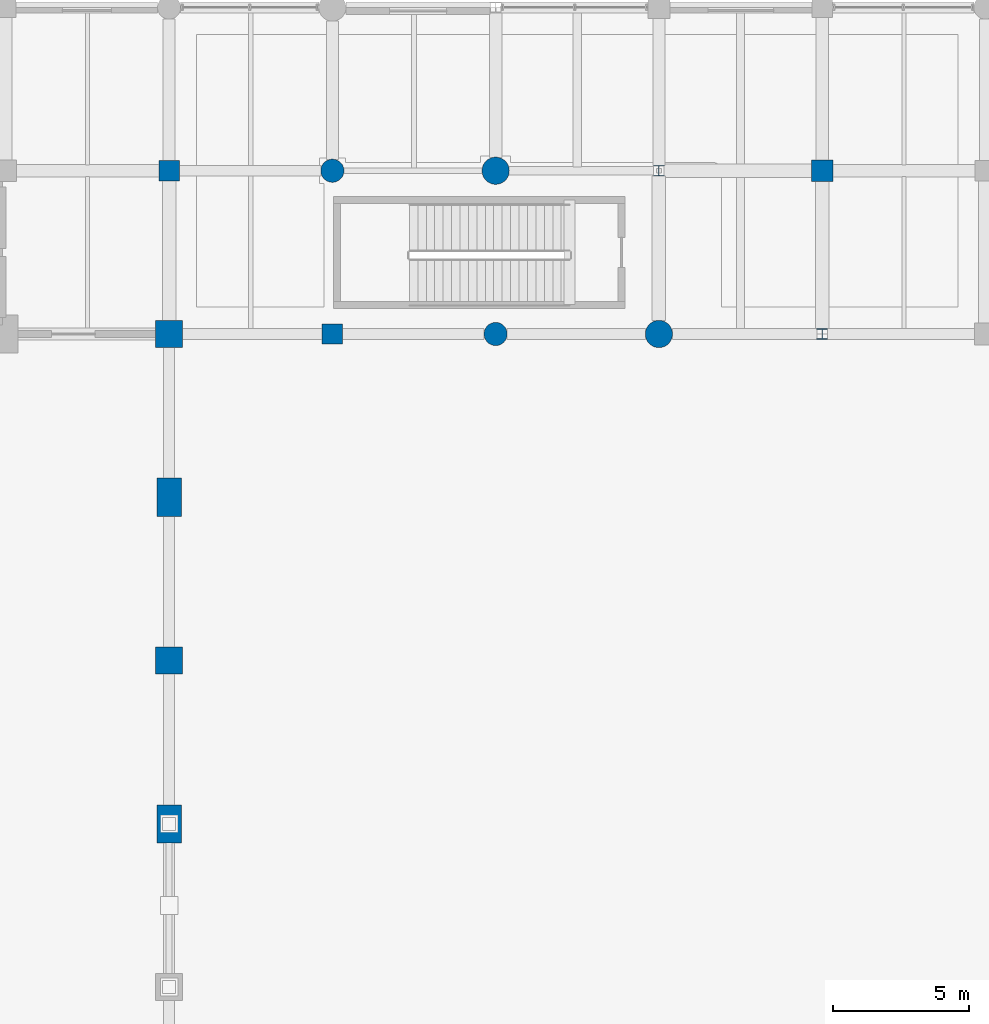
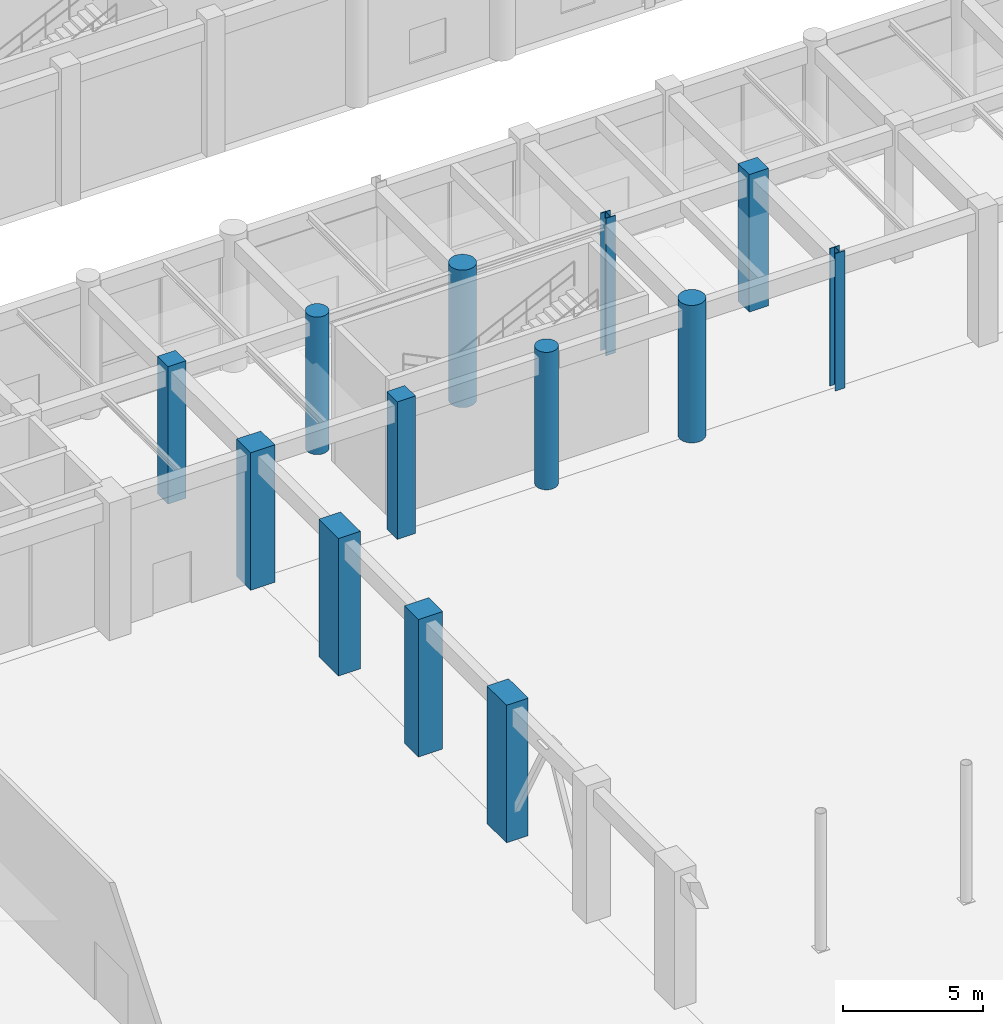
# One storey, part 12 of 106: 13 columns.
"""IFC4 building model written with IfcOpenShell, lengths in metres."""

from ifc_helpers import new_model, si_unit, direction, frame, origin, origin_2d, place, context, subcontext, project, spatial, rectangle, circle, i_section, extrude, material, material_profile, profile_set, type_object, element, save


model = new_model("IFC4")

# Units and contexts
model_context = context("Model", 3, precision=1e-05, world=origin(), true_north=direction((0.0, 1.0)))
body_context = subcontext(model_context, "Body", "Model", "MODEL_VIEW")
ifc_project = project(units=[si_unit("LENGTHUNIT", "METRE"), si_unit("AREAUNIT", "SQUARE_METRE"), si_unit("VOLUMEUNIT", "CUBIC_METRE"), si_unit("PLANEANGLEUNIT", "RADIAN"), si_unit("MASSUNIT", "GRAM", prefix="KILO"), si_unit("THERMODYNAMICTEMPERATUREUNIT", "KELVIN"), si_unit("POWERUNIT", "WATT")], contexts=[model_context])

# Site, building, storey
site_placement = place(None, origin())
site = spatial("IfcSite", under=ifc_project, at=site_placement, CompositionType="ELEMENT")
building_placement = place(site_placement, origin())
building = spatial("IfcBuilding", under=site, at=building_placement, Name="Phaisarnlok Congress Hotel", CompositionType="ELEMENT")
storey_placement = place(building_placement, origin())
storey = spatial("IfcBuildingStorey", under=building, at=storey_placement, Name="L00", CompositionType="ELEMENT", Elevation=0.0)

# Columns
ifc_material_1 = material(Name="Concrete C50/60", Category="concrete")
ifc_material_profile_1 = material_profile(ifc_material_1, rectangle(XDim=1.0, YDim=1.0, at=origin_2d()), Name="RC 1000x1000")
ifc_profile_set_1 = profile_set([ifc_material_profile_1], Name="Concrete C50/60")
column_type_1 = type_object("IfcColumnType", Name="COL-RC-1000", PredefinedType="COLUMN", material=ifc_profile_set_1)
for number, where, z_axis, x_axis, name in (
    (1, (66.0, 72.0, 0.0), (0.0, 0.0, 1.0), (1.0, 0.0, 0.0), "Column C-09 (L00)"),
    (2, (66.0, 84.0, 0.0), (0.0, 0.0, 1.0), (1.0, 0.0, 0.0), "Column C-09 (L00)"),
):
    element("IfcColumn", number, at=place(storey_placement, frame(where, z_axis=z_axis, x_axis=x_axis)), inside=storey, type_object=column_type_1, Name=name, PredefinedType="COLUMN", context=body_context, shape_type="SweptSolid", body=[
        extrude(rectangle(XDim=1.0, YDim=1.0, at=origin_2d()), origin(), (0.0, 0.0, 1.0), 6.0),
    ])
ifc_material_profile_2 = material_profile(ifc_material_1, rectangle(XDim=0.75, YDim=0.75, at=origin_2d()), Name="RC 750x750")
ifc_profile_set_2 = profile_set([ifc_material_profile_2], Name="Concrete C50/60")
column_type_2 = type_object("IfcColumnType", Name="COL-RC-750", PredefinedType="COLUMN", material=ifc_profile_set_2)
for number, where, z_axis, x_axis, name in (
    (3, (66.0, 90.0, 0.0), (0.0, 0.0, 1.0), (1.0, 0.0, 0.0), "Column C-06 (L00)"),
    (4, (72.0, 84.0, 0.0), (0.0, 0.0, 1.0), (1.0, 0.0, 0.0), "Column C-06 (L00)"),
):
    element("IfcColumn", number, at=place(storey_placement, frame(where, z_axis=z_axis, x_axis=x_axis)), inside=storey, type_object=column_type_2, Name=name, PredefinedType="COLUMN", context=body_context, shape_type="SweptSolid", body=[
        extrude(rectangle(XDim=0.75, YDim=0.75, at=origin_2d()), origin(), (0.0, 0.0, 1.0), 6.0),
    ])
ifc_material_profile_3 = material_profile(ifc_material_1, rectangle(XDim=0.800048828125, YDim=0.800048828125, at=origin_2d()), Name="RC 800x800")
ifc_profile_set_3 = profile_set([ifc_material_profile_3], Name="Concrete C50/60")
column_type_3 = type_object("IfcColumnType", Name="COL-RC-800", PredefinedType="COLUMN", material=ifc_profile_set_3)
column_placement = place(storey_placement, frame((90.0, 90.0, 0.0), z_axis=(0.0, 0.0, 1.0), x_axis=(1.0, 0.0, 0.0)))
element("IfcColumn", 5, at=column_placement, inside=storey, type_object=column_type_3, Name="Column C-07 (L00)", PredefinedType="COLUMN", context=body_context, shape_type="SweptSolid", body=[
    extrude(rectangle(XDim=0.800048828125, YDim=0.800048828125, at=origin_2d()), origin(), (0.0, 0.0, 1.0), 6.0),
])
ifc_material_profile_4 = material_profile(ifc_material_1, rectangle(XDim=0.89990234375, YDim=1.39990234375, at=origin_2d()), Name="RC 900x1400")
ifc_profile_set_4 = profile_set([ifc_material_profile_4], Name="Concrete C50/60")
column_type_4 = type_object("IfcColumnType", Name="COL-RC-900x1400", PredefinedType="COLUMN", material=ifc_profile_set_4)
for number, where, z_axis, x_axis, name in (
    (6, (66.0, 66.0, 0.0), (0.0, 0.0, 1.0), (1.0, 0.0, 0.0), "Column C-12 (L00)"),
    (7, (66.0, 78.0, 0.0), (0.0, 0.0, 1.0), (1.0, 0.0, 0.0), "Column C-12 (L00)"),
):
    element("IfcColumn", number, at=place(storey_placement, frame(where, z_axis=z_axis, x_axis=x_axis)), inside=storey, type_object=column_type_4, Name=name, PredefinedType="COLUMN", context=body_context, shape_type="SweptSolid", body=[
        extrude(rectangle(XDim=0.89990234375, YDim=1.39990234375, at=origin_2d()), origin(), (0.0, 0.0, 1.0), 6.0),
    ])
ifc_material_profile_5 = material_profile(ifc_material_1, circle(Radius=0.5, at=origin_2d()), Name="RCC D1000")
ifc_profile_set_5 = profile_set([ifc_material_profile_5], Name="Concrete C50/60")
column_type_5 = type_object("IfcColumnType", Name="COL-RCC-1000", PredefinedType="COLUMN", material=ifc_profile_set_5)
for number, where, z_axis, x_axis, name in (
    (8, (78.0, 90.0, 0.0), (0.0, 0.0, 1.0), (1.0, 0.0, 0.0), "Column C-15 (L00)"),
    (9, (84.0, 84.0, 0.0), (0.0, 0.0, 1.0), (1.0, 0.0, 0.0), "Column C-15 (L00)"),
):
    element("IfcColumn", number, at=place(storey_placement, frame(where, z_axis=z_axis, x_axis=x_axis)), inside=storey, type_object=column_type_5, Name=name, PredefinedType="COLUMN", context=body_context, shape_type="SweptSolid", body=[
        extrude(circle(Radius=0.5, at=origin_2d()), origin(), (0.0, 0.0, 1.0), 6.0),
    ])
ifc_material_profile_6 = material_profile(ifc_material_1, circle(Radius=0.425048828125, at=origin_2d()), Name="RCC D850")
ifc_profile_set_6 = profile_set([ifc_material_profile_6], Name="Concrete C50/60")
column_type_6 = type_object("IfcColumnType", Name="COL-RCC-850", PredefinedType="COLUMN", material=ifc_profile_set_6)
for number, where, z_axis, x_axis, name in (
    (10, (72.0, 90.0, 0.0), (0.0, 0.0, 1.0), (1.0, 0.0, 0.0), "Column C-14 (L00)"),
    (11, (78.0, 84.0, 0.0), (0.0, 0.0, 1.0), (1.0, 0.0, 0.0), "Column C-14 (L00)"),
):
    element("IfcColumn", number, at=place(storey_placement, frame(where, z_axis=z_axis, x_axis=x_axis)), inside=storey, type_object=column_type_6, Name=name, PredefinedType="COLUMN", context=body_context, shape_type="SweptSolid", body=[
        extrude(circle(Radius=0.425048828125, at=origin_2d()), origin(), (0.0, 0.0, 1.0), 6.0),
    ])
ifc_material_2 = material(Name="Steel S355", Category="steel")
ifc_material_profile_7 = material_profile(ifc_material_2, i_section(OverallWidth=0.40087890625, OverallDepth=0.39892578125, WebThickness=0.0185546875, FlangeThickness=0.030029296875, FilletRadius=0.014892578125, at=origin_2d()), Name="HD 400x314")
ifc_profile_set_7 = profile_set([ifc_material_profile_7], Name="Steel S355")
column_type_7 = type_object("IfcColumnType", Name="COL-STL-HD314", PredefinedType="COLUMN", material=ifc_profile_set_7)
for number, where, z_axis, x_axis, name in (
    (12, (84.0, 90.0, 0.0), (0.0, 0.0, 1.0), (1.0, 0.0, 0.0), "Column SC-04 (L00)"),
    (13, (90.0, 84.0, 0.0), (0.0, 0.0, 1.0), (1.0, 0.0, 0.0), "Column SC-04 (L00)"),
):
    element("IfcColumn", number, at=place(storey_placement, frame(where, z_axis=z_axis, x_axis=x_axis)), inside=storey, type_object=column_type_7, Name=name, PredefinedType="COLUMN", context=body_context, shape_type="SweptSolid", body=[
        extrude(i_section(OverallWidth=0.40087890625, OverallDepth=0.39892578125, WebThickness=0.0185546875, FlangeThickness=0.030029296875, FilletRadius=0.014892578125, at=origin_2d()), origin(), (0.0, 0.0, 1.0), 6.0),
    ])

save(model, "model.ifc")
